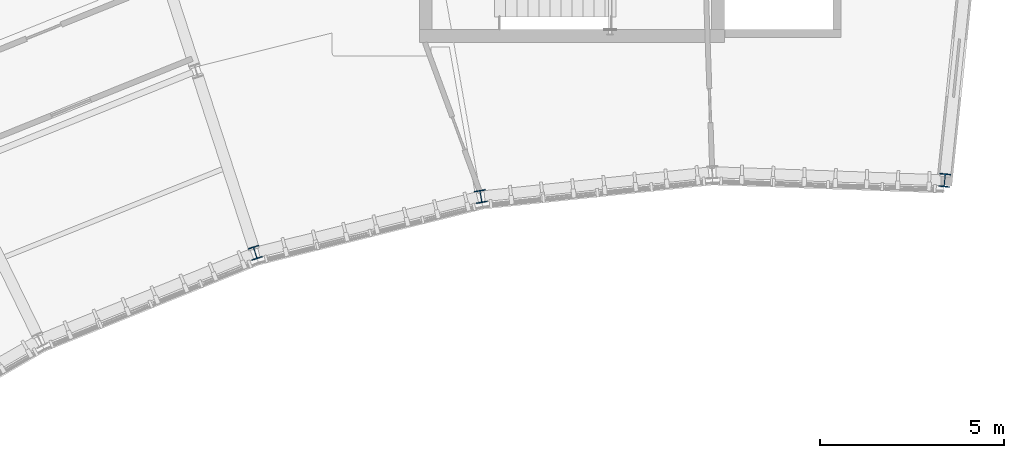
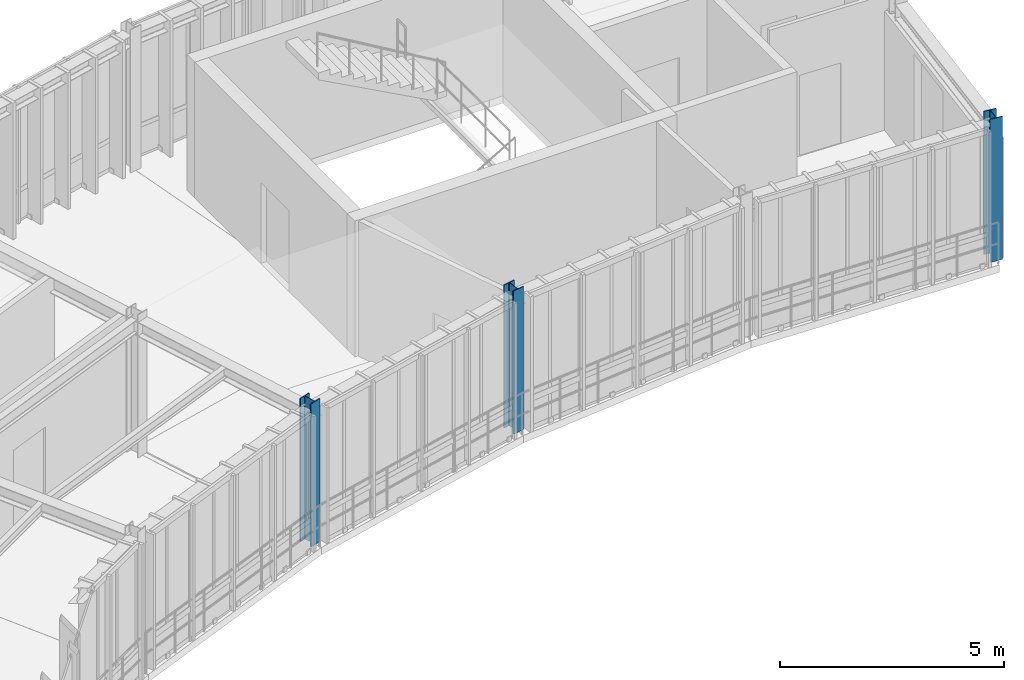
# One storey, part 4 of 41: 3 columns.
"""IFC4 building model written with IfcOpenShell, lengths in metres."""

from ifc_helpers import new_model, si_unit, direction, frame, origin, origin_2d, place, context, subcontext, project, spatial, i_section, extrude, material, material_profile, profile_set, type_object, element, save


model = new_model("IFC4")

# Units and contexts
model_context = context("Model", 3, precision=1e-05, world=origin(), true_north=direction((0.0, 1.0)))
body_context = subcontext(model_context, "Body", "Model", "MODEL_VIEW")
ifc_project = project(units=[si_unit("LENGTHUNIT", "METRE"), si_unit("AREAUNIT", "SQUARE_METRE"), si_unit("VOLUMEUNIT", "CUBIC_METRE"), si_unit("PLANEANGLEUNIT", "RADIAN"), si_unit("MASSUNIT", "GRAM", prefix="KILO"), si_unit("THERMODYNAMICTEMPERATUREUNIT", "KELVIN"), si_unit("POWERUNIT", "WATT")], contexts=[model_context])

# Site, building, storey
site_placement = place(None, origin())
site = spatial("IfcSite", under=ifc_project, at=site_placement, CompositionType="ELEMENT")
building_placement = place(site_placement, origin())
building = spatial("IfcBuilding", under=site, at=building_placement, Name="Solvatero Civic Police Headquarters", CompositionType="ELEMENT")
storey_placement = place(building_placement, frame((0.0, 0.0, 17.699951171875)))
storey = spatial("IfcBuildingStorey", under=building, at=storey_placement, Name="L04", CompositionType="ELEMENT", Elevation=17.699951171875)

# Columns
ifc_material = material(Name="Steel S355", Category="steel")
ifc_material_profile_1 = material_profile(ifc_material, i_section(OverallWidth=0.300048828125, OverallDepth=0.340087890625, WebThickness=0.011962890625, FlangeThickness=0.021484375, FilletRadius=0.027099609375, at=origin_2d()), Name="HEB 340")
ifc_profile_set_1 = profile_set([ifc_material_profile_1], Name="Steel S355")
column_type_1 = type_object("IfcColumnType", Name="COL-ST-HEB340", PredefinedType="COLUMN", material=ifc_profile_set_1)
for number, where, z_axis, x_axis, name in (
    (1, (86.125, 70.660888671875, 0.0), (0.0, 0.0, 1.0), (0.984807753012, 0.173648177667, 0.0), "Column ARC-S02-IN L04"),
    (2, (79.986083984375, 69.13037109375, 0.0), (0.0, 0.0, 1.0), (0.951056516295, 0.309016994375, 0.0), "Column ARC-S03-IN L04"),
):
    element("IfcColumn", number, at=place(storey_placement, frame(where, z_axis=z_axis, x_axis=x_axis)), inside=storey, type_object=column_type_1, Name=name, PredefinedType="COLUMN", context=body_context, shape_type="SweptSolid", body=[
        extrude(i_section(OverallWidth=0.300048828125, OverallDepth=0.340087890625, WebThickness=0.011962890625, FlangeThickness=0.021484375, FilletRadius=0.027099609375, at=origin_2d()), origin(), (0.0, 0.0, 1.0), 3.900146484375),
    ])
ifc_material_profile_2 = material_profile(ifc_material, i_section(OverallWidth=0.300048828125, OverallDepth=0.360107421875, WebThickness=0.012451171875, FlangeThickness=0.0224609375, FilletRadius=0.027099609375, at=origin_2d()), Name="HEB 360")
ifc_profile_set_2 = profile_set([ifc_material_profile_2], Name="Steel S355")
column_type_2 = type_object("IfcColumnType", Name="COL-ST-HEB360", PredefinedType="COLUMN", material=ifc_profile_set_2)
column_placement = place(storey_placement, frame((98.740478515625, 71.1015625, 0.0), z_axis=(0.0, 0.0, 1.0), x_axis=(0.994521895368, -0.104528463268, 0.0)))
element("IfcColumn", 3, at=column_placement, inside=storey, type_object=column_type_2, Name="Column ARC-S00-IN L04", PredefinedType="COLUMN", context=body_context, shape_type="SweptSolid", body=[
    extrude(i_section(OverallWidth=0.300048828125, OverallDepth=0.360107421875, WebThickness=0.012451171875, FlangeThickness=0.0224609375, FilletRadius=0.027099609375, at=origin_2d()), origin(), (0.0, 0.0, 1.0), 3.900146484375),
])

save(model, "model.ifc")
